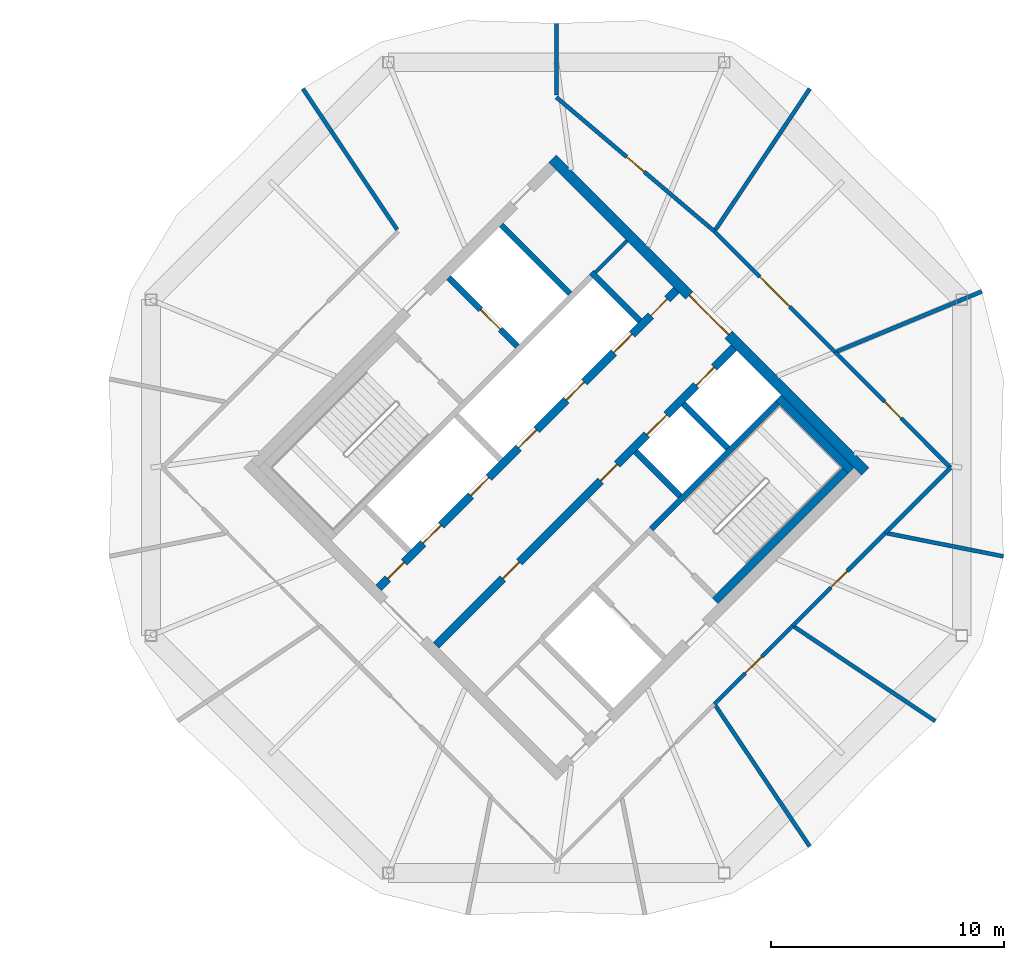
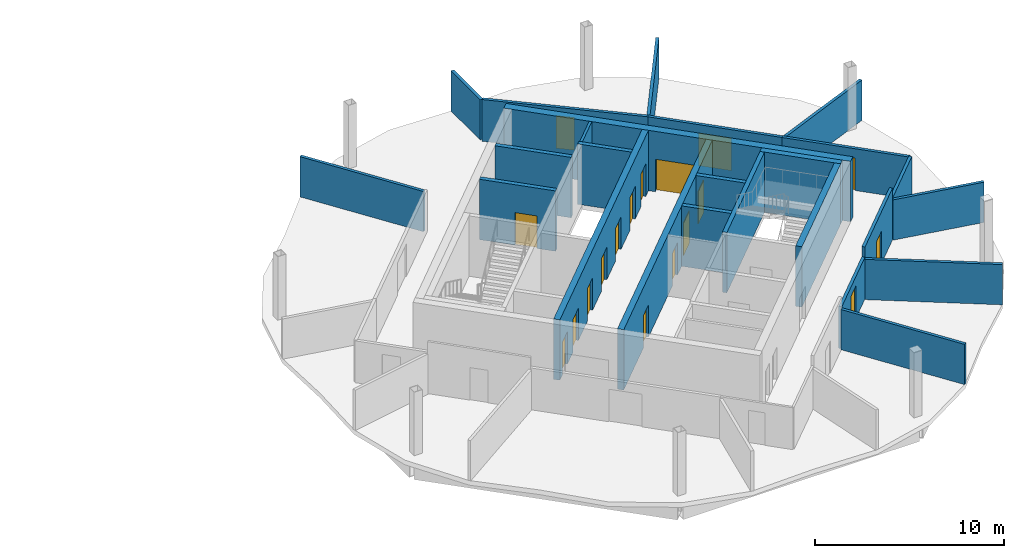
# One storey, part 8 of 10: 25 walls, 18 doors, 18 openings.
"""IFC4 building model written with IfcOpenShell, lengths in metres."""

from ifc_helpers import new_model, si_unit, direction, frame, frame_2d, origin, place, context, subcontext, project, spatial, rectangle, extrude, material, layer, layer_set, type_object, element, fill, save


model = new_model("IFC4")

# Units and contexts
model_context = context("Model", 3, precision=1e-05, world=origin(), true_north=direction((0.0, 1.0)))
body_context = subcontext(model_context, "Body", "Model", "MODEL_VIEW")
ifc_project = project(units=[si_unit("LENGTHUNIT", "METRE"), si_unit("AREAUNIT", "SQUARE_METRE"), si_unit("VOLUMEUNIT", "CUBIC_METRE"), si_unit("PLANEANGLEUNIT", "RADIAN"), si_unit("MASSUNIT", "GRAM", prefix="KILO")], contexts=[model_context])

# Site, building, storey
site_placement = place(None, origin())
site = spatial("IfcSite", under=ifc_project, at=site_placement, CompositionType="ELEMENT")
building_placement = place(site_placement, origin())
building = spatial("IfcBuilding", under=site, at=building_placement, Name="Ogive Gate Towers", CompositionType="ELEMENT")
storey_placement = place(building_placement, frame((0.0, 0.0, 264.60009765625)))
storey = spatial("IfcBuildingStorey", under=building, at=storey_placement, Name="L62", CompositionType="ELEMENT", Elevation=264.60009765625)

# Walls
ifc_material_1 = material(Name="Gypsum board acoustic partition")
ifc_layer_1 = layer(ifc_material_1, 0.175048828125)
ifc_layer_set_1 = layer_set([ifc_layer_1], Name="Acoustic partition 175")
wall_type_1 = type_object("IfcWallType", Name="Acoustic partition 175", PredefinedType="PARTITIONING", material=ifc_layer_set_1)
wall_1_placement = place(storey_placement, frame((54.29296875, 7.5771484375, 0.0), z_axis=(0.0, 0.0, 1.0), x_axis=(-0.923879560548, -0.382683364678, 0.0)))
element("IfcWall", 1, at=wall_1_placement, inside=storey, type_object=wall_type_1, Name="Partition T2-L62-001", PredefinedType="PARTITIONING", context=body_context, shape_type="SweptSolid", body=[
    extrude(rectangle(XDim=6.741455078125, YDim=0.175048828125, at=frame_2d((3.37060546875, 0.0))), origin(), (0.0, 0.0, 1.0), 2.599853515625),
])
wall_2_placement = place(storey_placement, frame((46.896484375, 16.291259765625, 0.0), z_axis=(0.0, 0.0, 1.0), x_axis=(-0.55596678997, -0.83120450459, 0.0)))
element("IfcWall", 2, at=wall_2_placement, inside=storey, type_object=wall_type_1, Name="Partition T2-L62-002", PredefinedType="PARTITIONING", context=body_context, shape_type="SweptSolid", body=[
    extrude(rectangle(XDim=7.291259765625, YDim=0.175048828125, at=frame_2d((3.6455078125, 0.0))), origin(), (0.0, 0.0, 1.0), 2.599853515625),
])
wall_3_placement = place(storey_placement, frame((36.0, 19.09912109375, 0.0), z_axis=(0.0, 0.0, 1.0), x_axis=(0.0, -1.0, 0.0)))
element("IfcWall", 3, at=wall_3_placement, inside=storey, type_object=wall_type_1, Name="Partition T2-L62-003", PredefinedType="PARTITIONING", context=body_context, shape_type="SweptSolid", body=[
    extrude(rectangle(XDim=3.091552734375, YDim=0.175048828125, at=frame_2d((1.5458984375, 0.0))), origin(), (0.0, 0.0, 1.0), 2.599853515625),
])
for number, where, z_axis, x_axis, name in (
    (4, (25.103515625, 16.291259765625, 0.0), (0.0, 0.0, 1.0), (0.55596678997, -0.83120450459, 0.0), "Partition T2-L62-004"),
    (5, (46.896484375, -16.291259765625, 0.0), (0.0, 0.0, 1.0), (-0.55596678997, 0.83120450459, 0.0), "Partition T2-L62-010"),
    (6, (52.291259765625, -10.896484375, 0.0), (0.0, 0.0, 1.0), (-0.83120450459, 0.55596678997, 0.0), "Partition T2-L62-011"),
):
    element("IfcWall", number, at=place(storey_placement, frame(where, z_axis=z_axis, x_axis=x_axis)), inside=storey, type_object=wall_type_1, Name=name, PredefinedType="PARTITIONING", context=body_context, shape_type="SweptSolid", body=[
        extrude(rectangle(XDim=7.291259765625, YDim=0.175048828125, at=frame_2d((3.6455078125, 0.0))), origin(), (0.0, 0.0, 1.0), 2.599853515625),
    ])
wall_4_placement = place(storey_placement, frame((55.224609375, -3.814697265625, 0.0), z_axis=(0.0, 0.0, 1.0), x_axis=(-0.980874659821, 0.194640442152, 0.0)))
element("IfcWall", 7, at=wall_4_placement, inside=storey, type_object=wall_type_1, Name="Partition T2-L62-012", PredefinedType="PARTITIONING", context=body_context, shape_type="SweptSolid", body=[
    extrude(rectangle(XDim=5.09130859375, YDim=0.175048828125, at=frame_2d((2.545654296875, 0.0))), origin(), (0.0, 0.0, 1.0), 2.599853515625),
])

# Wall, opening, door
wall_5_placement = place(storey_placement, frame((42.794189453125, -10.157958984375, 0.0), z_axis=(0.0, 0.0, 1.0), x_axis=(0.707106781187, 0.707106781187, 0.0)))
wall_5 = element("IfcWall", 8, at=wall_5_placement, inside=storey, type_object=wall_type_1, Name="Partition T2-L62-013", PredefinedType="PARTITIONING", context=body_context, shape_type="SweptSolid", body=[
    extrude(rectangle(XDim=4.757080078125, YDim=0.175048828125, at=frame_2d((2.37841796875, 0.0))), origin(), (0.0, 0.0, 1.0), 2.699951171875),
])
opening_1_placement = place(wall_5_placement, frame((1.87890625, 0.0, 0.0)))
opening_1 = element("IfcOpeningElement", 9, at=opening_1_placement, cuts=wall_5, Name="Opening T2-L62-D01", PredefinedType="OPENING", context=body_context, shape_type="SweptSolid", body=[
    extrude(rectangle(XDim=1.0, YDim=2.10009765625, at=frame_2d((0.5, 1.050048828125))), frame((0.0, 0.09765625, 0.0), z_axis=(0.0, -1.0, 0.0), x_axis=(1.0, 0.0, 0.0)), (0.0, 0.0, 1.0), 0.195068359375),
])
ifc_material_2 = material(Name="Timber door", Category="wood")
door_type_1 = type_object("IfcDoorType", Name="Door 1000", OperationType="NOTDEFINED", PredefinedType="DOOR", material=ifc_material_2)
door_1_placement = place(opening_1_placement, origin())
door_1 = element("IfcDoor", 10, at=door_1_placement, inside=storey, type_object=door_type_1, Name="Door T2-L62-D01", OperationType="SINGLE_SWING_RIGHT", OverallHeight=2.10009765625, OverallWidth=1.0, PredefinedType="DOOR", context=body_context, shape_type="SweptSolid", body=[
    extrude(rectangle(XDim=1.0, YDim=2.10009765625, at=frame_2d((0.5, 1.050048828125))), frame((0.0, 0.02490234375, 0.0), z_axis=(0.0, -1.0, 0.0), x_axis=(1.0, 0.0, 0.0)), (0.0, 0.0, 1.0), 0.050048828125),
])
fill(opening_1, door_1)

wall_6_placement = place(storey_placement, frame((46.157958984375, -6.794189453125, 0.0), z_axis=(0.0, 0.0, 1.0), x_axis=(0.707041832537, 0.707171723871, 0.0)))
wall_6 = element("IfcWall", 11, at=wall_6_placement, inside=storey, type_object=wall_type_1, Name="Partition T2-L62-014", PredefinedType="PARTITIONING", context=body_context, shape_type="SweptSolid", body=[
    extrude(rectangle(XDim=5.638671875, YDim=0.175048828125, at=frame_2d((2.8193359375, 0.0))), origin(), (0.0, 0.0, 1.0), 3.349853515625),
])
opening_2_placement = place(wall_6_placement, frame((2.319091796875, 0.0, 0.0)))
opening_2 = element("IfcOpeningElement", 12, at=opening_2_placement, cuts=wall_6, Name="Opening T2-L62-D02", PredefinedType="OPENING", context=body_context, shape_type="SweptSolid", body=[
    extrude(rectangle(XDim=1.0, YDim=2.10009765625, at=frame_2d((0.5, 1.050048828125))), frame((0.0, 0.09765625, 0.0), z_axis=(0.0, -1.0, 0.0), x_axis=(1.0, 0.0, 0.0)), (0.0, 0.0, 1.0), 0.195068359375),
])
door_2_placement = place(opening_2_placement, origin())
door_2 = element("IfcDoor", 13, at=door_2_placement, inside=storey, type_object=door_type_1, Name="Door T2-L62-D02", OperationType="SINGLE_SWING_RIGHT", OverallHeight=2.10009765625, OverallWidth=1.0, PredefinedType="DOOR", context=body_context, shape_type="SweptSolid", body=[
    extrude(rectangle(XDim=1.0, YDim=2.10009765625, at=frame_2d((0.5, 1.050048828125))), frame((0.0, 0.02490234375, 0.0), z_axis=(0.0, -1.0, 0.0), x_axis=(1.0, 0.0, 0.0)), (0.0, 0.0, 1.0), 0.050048828125),
])
fill(opening_2, door_2)

wall_7_placement = place(storey_placement, frame((52.9423828125, 0.0, 0.0), z_axis=(0.0, 0.0, 1.0), x_axis=(-0.706741328915, 0.70747204468, 0.0)))
wall_7 = element("IfcWall", 14, at=wall_7_placement, inside=storey, type_object=wall_type_1, Name="Partition T2-L62-015", PredefinedType="PARTITIONING", context=body_context, shape_type="SweptSolid", body=[
    extrude(rectangle(XDim=7.016357421875, YDim=0.175048828125, at=frame_2d((3.50830078125, 0.0))), origin(), (0.0, 0.0, 1.0), 2.699951171875),
])
opening_3_placement = place(wall_7_placement, frame((3.008056640625, 0.0, 0.0)))
opening_3 = element("IfcOpeningElement", 15, at=opening_3_placement, cuts=wall_7, Name="Opening T2-L62-D03", PredefinedType="OPENING", context=body_context, shape_type="SweptSolid", body=[
    extrude(rectangle(XDim=1.0, YDim=2.10009765625, at=frame_2d((0.5, 1.050048828125))), frame((0.0, 0.09765625, 0.0), z_axis=(0.0, -1.0, 0.0), x_axis=(1.0, 0.0, 0.0)), (0.0, 0.0, 1.0), 0.195068359375),
])
door_3_placement = place(opening_3_placement, origin())
door_3 = element("IfcDoor", 16, at=door_3_placement, inside=storey, type_object=door_type_1, Name="Door T2-L62-D03", OperationType="SINGLE_SWING_RIGHT", OverallHeight=2.10009765625, OverallWidth=1.0, PredefinedType="DOOR", context=body_context, shape_type="SweptSolid", body=[
    extrude(rectangle(XDim=1.0, YDim=2.10009765625, at=frame_2d((0.5, 1.050048828125))), frame((0.0, 0.02490234375, 0.0), z_axis=(0.0, -1.0, 0.0), x_axis=(1.0, 0.0, 0.0)), (0.0, 0.0, 1.0), 0.050048828125),
])
fill(opening_3, door_3)

# Wall
wall_8_placement = place(storey_placement, frame((50.144775390625, -2.806640625, 0.0), z_axis=(0.0, 0.0, 1.0), x_axis=(0.705966114567, 0.708245610705, 0.0)))
element("IfcWall", 17, at=wall_8_placement, inside=storey, type_object=wall_type_1, Name="Partition T2-L62-016", PredefinedType="PARTITIONING", context=body_context, shape_type="SweptSolid", body=[
    extrude(rectangle(XDim=3.962890625, YDim=0.175048828125, at=frame_2d((1.9814453125, 0.0))), origin(), (0.0, 0.0, 1.0), 2.699951171875),
])

# Wall, opening, door
wall_9_placement = place(storey_placement, frame((47.983642578125, 4.9638671875, 0.0), z_axis=(0.0, 0.0, 1.0), x_axis=(-0.706790822746, 0.70742259851, 0.0)))
wall_9 = element("IfcWall", 18, at=wall_9_placement, inside=storey, type_object=wall_type_1, Name="Partition T2-L62-017", PredefinedType="PARTITIONING", context=body_context, shape_type="SweptSolid", body=[
    extrude(rectangle(XDim=7.34228515625, YDim=0.175048828125, at=frame_2d((3.671142578125, 0.0))), origin(), (0.0, 0.0, 1.0), 2.699951171875),
])
opening_4_placement = place(wall_9_placement, frame((2.77099609375, 0.0, 0.0)))
opening_4 = element("IfcOpeningElement", 19, at=opening_4_placement, cuts=wall_9, Name="Opening T2-L62-D04", PredefinedType="OPENING", context=body_context, shape_type="SweptSolid", body=[
    extrude(rectangle(XDim=1.800048828125, YDim=2.10009765625, at=frame_2d((0.89990234375, 1.050048828125))), frame((0.0, 0.09765625, 0.0), z_axis=(0.0, -1.0, 0.0), x_axis=(1.0, 0.0, 0.0)), (0.0, 0.0, 1.0), 0.195068359375),
])
door_type_2 = type_object("IfcDoorType", Name="Door pair 1800", OperationType="NOTDEFINED", PredefinedType="DOOR", material=ifc_material_2)
door_4_placement = place(opening_4_placement, origin())
door_4 = element("IfcDoor", 20, at=door_4_placement, inside=storey, type_object=door_type_2, Name="Door T2-L62-D04", OperationType="DOUBLE_DOOR_DOUBLE_SWING", OverallHeight=2.10009765625, OverallWidth=1.800048828125, PredefinedType="DOOR", context=body_context, shape_type="SweptSolid", body=[
    extrude(rectangle(XDim=1.800048828125, YDim=2.10009765625, at=frame_2d((0.89990234375, 1.050048828125))), frame((0.0, 0.02490234375, 0.0), z_axis=(0.0, -1.0, 0.0), x_axis=(1.0, 0.0, 0.0)), (0.0, 0.0, 1.0), 0.050048828125),
])
fill(opening_4, door_4)

wall_10_placement = place(storey_placement, frame((42.794189453125, 10.157958984375, 0.0), z_axis=(0.0, 0.0, 1.0), x_axis=(-0.762650867546, 0.646810369608, 0.0)))
wall_10 = element("IfcWall", 21, at=wall_10_placement, inside=storey, type_object=wall_type_1, Name="Partition T2-L62-018", PredefinedType="PARTITIONING", context=body_context, shape_type="SweptSolid", body=[
    extrude(rectangle(XDim=8.90869140625, YDim=0.175048828125, at=frame_2d((4.454345703125, 0.0))), origin(), (0.0, 0.0, 1.0), 2.699951171875),
])
opening_5_placement = place(wall_10_placement, frame((3.9541015625, 0.0, 0.0)))
opening_5 = element("IfcOpeningElement", 22, at=opening_5_placement, cuts=wall_10, Name="Opening T2-L62-D05", PredefinedType="OPENING", context=body_context, shape_type="SweptSolid", body=[
    extrude(rectangle(XDim=1.0, YDim=2.10009765625, at=frame_2d((0.5, 1.050048828125))), frame((0.0, 0.09765625, 0.0), z_axis=(0.0, -1.0, 0.0), x_axis=(1.0, 0.0, 0.0)), (0.0, 0.0, 1.0), 0.195068359375),
])
door_5_placement = place(opening_5_placement, origin())
door_5 = element("IfcDoor", 23, at=door_5_placement, inside=storey, type_object=door_type_1, Name="Door T2-L62-D05", OperationType="SINGLE_SWING_LEFT", OverallHeight=2.10009765625, OverallWidth=1.0, PredefinedType="DOOR", context=body_context, shape_type="SweptSolid", body=[
    extrude(rectangle(XDim=1.0, YDim=2.10009765625, at=frame_2d((0.5, 1.050048828125))), frame((0.0, 0.02490234375, 0.0), z_axis=(0.0, -1.0, 0.0), x_axis=(1.0, 0.0, 0.0)), (0.0, 0.0, 1.0), 0.050048828125),
])
fill(opening_5, door_5)

ifc_material_3 = material(Name="Concrete C60/75", Category="concrete")
ifc_layer_2 = layer(ifc_material_3, 0.449951171875)
ifc_layer_set_2 = layer_set([ifc_layer_2], Name="Core wall 450 mm")
wall_type_2 = type_object("IfcWallType", Name="Core wall 450 mm", PredefinedType="SHEAR", material=ifc_layer_set_2)
wall_11_placement = place(storey_placement, frame((49.27587890625, -0.1591796875, 0.0), z_axis=(0.0, 0.0, 1.0), x_axis=(-0.707106781187, 0.707106781187, 0.0)))
wall_11 = element("IfcWall", 24, at=wall_11_placement, inside=storey, type_object=wall_type_2, Name="T2 L62 Core wall 450 mm", PredefinedType="SHEAR", context=body_context, shape_type="SweptSolid", body=[
    extrude(rectangle(XDim=19.0, YDim=0.449951171875, at=frame_2d((9.5, 0.0))), origin(), (0.0, 0.0, 1.0), 3.89990234375),
])
opening_6_placement = place(wall_11_placement, frame((8.300048828125, 0.0, 0.0)))
opening_6 = element("IfcOpeningElement", 25, at=opening_6_placement, cuts=wall_11, Name="Opening KD-T2-L62-02", PredefinedType="OPENING", context=body_context, shape_type="SweptSolid", body=[
    extrude(rectangle(XDim=2.39990234375, YDim=2.10009765625, at=frame_2d((1.199951171875, 1.050048828125))), frame((0.0, 0.23486328125, 0.0), z_axis=(0.0, -1.0, 0.0), x_axis=(1.0, 0.0, 0.0)), (0.0, 0.0, 1.0), 0.469970703125),
])
ifc_material_4 = material(Name="Steel fire door", Category="steel")
door_type_3 = type_object("IfcDoorType", Name="Core double door FD60S 2400 x 2100", OperationType="DOUBLE_DOOR_SINGLE_SWING", PredefinedType="DOOR", material=ifc_material_4)
door_6_placement = place(opening_6_placement, origin())
door_6 = element("IfcDoor", 26, at=door_6_placement, inside=storey, type_object=door_type_3, Name="T2 L62 Core door double", OperationType="DOUBLE_DOOR_SINGLE_SWING", OverallHeight=2.10009765625, OverallWidth=2.39990234375, PredefinedType="DOOR", context=body_context, shape_type="SweptSolid", body=[
    extrude(rectangle(XDim=2.39990234375, YDim=2.10009765625, at=frame_2d((1.199951171875, 1.050048828125))), frame((0.0, 0.02490234375, 0.0), z_axis=(0.0, -1.0, 0.0), x_axis=(1.0, 0.0, 0.0)), (0.0, 0.0, 1.0), 0.050048828125),
])
fill(opening_6, door_6)

# Walls
ifc_material_5 = material(Name="Gypsum board partition")
ifc_layer_3 = layer(ifc_material_5, 0.14990234375)
ifc_layer_set_3 = layer_set([ifc_layer_3], Name="Room partition 150 mm")
wall_type_3 = type_object("IfcWallType", Name="Room partition 150 mm", PredefinedType="PARTITIONING", material=ifc_layer_set_3)
wall_12_placement = place(storey_placement, frame((37.679443359375, 8.39697265625, 0.0), z_axis=(0.0, 0.0, 1.0), x_axis=(0.707106781187, 0.707106781187, 0.0)))
element("IfcWall", 27, at=wall_12_placement, inside=storey, type_object=wall_type_3, Name="T2 L62 Room partition 150 mm", PredefinedType="PARTITIONING", context=body_context, shape_type="SweptSolid", body=[
    extrude(rectangle(XDim=1.9248046875, YDim=0.14990234375, at=frame_2d((0.96240234375, 0.0))), origin(), (0.0, 0.0, 1.0), 3.89990234375),
])
ifc_layer_4 = layer(ifc_material_3, 0.25)
ifc_layer_set_4 = layer_set([ifc_layer_4], Name="Shaft wall 250 mm")
wall_type_4 = type_object("IfcWallType", Name="Shaft wall 250 mm", PredefinedType="SHEAR", material=ifc_layer_set_4)
wall_13_placement = place(storey_placement, frame((40.08349609375, -2.634033203125, 0.0), z_axis=(0.0, 0.0, 1.0), x_axis=(0.707090876314, 0.707122685701, 0.0)))
element("IfcWall", 28, at=wall_13_placement, inside=storey, type_object=wall_type_4, Name="T2 L62 Shaft wall 250 mm", PredefinedType="SHEAR", context=body_context, shape_type="SweptSolid", body=[
    extrude(rectangle(XDim=7.675048828125, YDim=0.25, at=frame_2d((3.83740234375, 0.0))), origin(), (0.0, 0.0, 1.0), 3.89990234375),
])

# Wall, opening, door
wall_14_placement = place(storey_placement, frame((34.320556640625, 5.21484375, 0.0), z_axis=(0.0, 0.0, 1.0), x_axis=(-0.707106781187, 0.707106781187, 0.0)))
wall_14 = element("IfcWall", 29, at=wall_14_placement, inside=storey, type_object=wall_type_4, Name="T2 L62 Shaft wall 250 mm", PredefinedType="SHEAR", context=body_context, shape_type="SweptSolid", body=[
    extrude(rectangle(XDim=4.175048828125, YDim=0.25, at=frame_2d((2.08740234375, 0.0))), origin(), (0.0, 0.0, 1.0), 3.89990234375),
])
opening_7_placement = place(wall_14_placement, frame((1.02490234375, 0.0, 0.0)))
opening_7 = element("IfcOpeningElement", 30, at=opening_7_placement, cuts=wall_14, Name="Opening LD-T2-L62-12", PredefinedType="OPENING", context=body_context, shape_type="SweptSolid", body=[
    extrude(rectangle(XDim=1.199951171875, YDim=2.10009765625, at=frame_2d((0.60009765625, 1.050048828125))), frame((0.0, 0.135009765625, 0.0), z_axis=(0.0, -1.0, 0.0), x_axis=(1.0, 0.0, 0.0)), (0.0, 0.0, 1.0), 0.27001953125),
])
ifc_material_6 = material(Name="Stainless steel landing door", Category="steel")
door_type_4 = type_object("IfcDoorType", Name="Landing door 1200 x 2100", OperationType="SLIDING_TO_LEFT", PredefinedType="DOOR", material=ifc_material_6)
door_7_placement = place(opening_7_placement, origin())
door_7 = element("IfcDoor", 31, at=door_7_placement, inside=storey, type_object=door_type_4, Name="T2 L62 Lift landing door FF1", OperationType="SLIDING_TO_LEFT", OverallHeight=2.10009765625, OverallWidth=1.199951171875, PredefinedType="DOOR", context=body_context, shape_type="SweptSolid", body=[
    extrude(rectangle(XDim=1.199951171875, YDim=2.10009765625, at=frame_2d((0.60009765625, 1.050048828125))), frame((0.0, 0.02490234375, 0.0), z_axis=(0.0, -1.0, 0.0), x_axis=(1.0, 0.0, 0.0)), (0.0, 0.0, 1.0), 0.050048828125),
])
fill(opening_7, door_7)

# Walls
wall_15_placement = place(storey_placement, frame((41.321044921875, -1.2197265625, 0.0), z_axis=(0.0, 0.0, 1.0), x_axis=(-0.707106781187, 0.707106781187, 0.0)))
element("IfcWall", 32, at=wall_15_placement, inside=storey, type_object=wall_type_4, Name="T2 L62 Shaft wall 250 mm", PredefinedType="SHEAR", context=body_context, shape_type="SweptSolid", body=[
    extrude(rectangle(XDim=2.699951171875, YDim=0.25, at=frame_2d((1.35009765625, 0.0))), origin(), (0.0, 0.0, 1.0), 3.89990234375),
])
wall_16_placement = place(storey_placement, frame((36.58349609375, 7.477783203125, 0.0), z_axis=(0.0, 0.0, 1.0), x_axis=(-0.707165256008, 0.707048301529, 0.0)))
element("IfcWall", 33, at=wall_16_placement, inside=storey, type_object=wall_type_4, Name="T2 L62 Shaft wall 250 mm", PredefinedType="SHEAR", context=body_context, shape_type="SweptSolid", body=[
    extrude(rectangle(XDim=4.175048828125, YDim=0.25, at=frame_2d((2.08740234375, 0.0))), origin(), (0.0, 0.0, 1.0), 3.89990234375),
])
wall_17_placement = place(storey_placement, frame((43.37158203125, 0.830810546875, 0.0), z_axis=(0.0, 0.0, 1.0), x_axis=(-0.707106781187, 0.707106781187, 0.0)))
element("IfcWall", 34, at=wall_17_placement, inside=storey, type_object=wall_type_4, Name="T2 L62 Shaft wall 250 mm", PredefinedType="SHEAR", context=body_context, shape_type="SweptSolid", body=[
    extrude(rectangle(XDim=2.699951171875, YDim=0.25, at=frame_2d((1.35009765625, 0.0))), origin(), (0.0, 0.0, 1.0), 3.89990234375),
])
wall_18_placement = place(storey_placement, frame((39.588623046875, 6.310791015625, 0.0), z_axis=(0.0, 0.0, 1.0), x_axis=(-0.707065402085, 0.707148157867, 0.0)))
element("IfcWall", 35, at=wall_18_placement, inside=storey, type_object=wall_type_4, Name="T2 L62 Shaft wall 250 mm", PredefinedType="SHEAR", context=body_context, shape_type="SweptSolid", body=[
    extrude(rectangle(XDim=2.9501953125, YDim=0.25, at=frame_2d((1.47509765625, 0.0))), origin(), (0.0, 0.0, 1.0), 3.89990234375),
])

# Wall, openings, doors
ifc_layer_5 = layer(ifc_material_3, 0.35009765625)
ifc_layer_set_5 = layer_set([ifc_layer_5], Name="Spine wall 350 mm")
wall_type_5 = type_object("IfcWallType", Name="Spine wall 350 mm", PredefinedType="SHEAR", material=ifc_layer_set_5)
wall_19_placement = place(storey_placement, frame((30.838134765625, -7.63671875, 0.0), z_axis=(0.0, 0.0, 1.0), x_axis=(0.707106781187, 0.707106781187, 0.0)))
wall_19 = element("IfcWall", 36, at=wall_19_placement, inside=storey, type_object=wall_type_5, Name="T2 L62 Spine wall 350 mm", PredefinedType="SHEAR", context=body_context, shape_type="SweptSolid", body=[
    extrude(rectangle(XDim=18.099853515625, YDim=0.35009765625, at=frame_2d((9.0498046875, 0.0))), origin(), (0.0, 0.0, 1.0), 3.89990234375),
])
opening_8_placement = place(wall_19_placement, frame((12.800048828125, 0.0, 0.0)))
opening_8 = element("IfcOpeningElement", 37, at=opening_8_placement, cuts=wall_19, Name="Opening LD-T2-L62-10", PredefinedType="OPENING", context=body_context, shape_type="SweptSolid", body=[
    extrude(rectangle(XDim=1.199951171875, YDim=2.10009765625, at=frame_2d((0.60009765625, 1.050048828125))), frame((0.0, 0.18505859375, 0.0), z_axis=(0.0, -1.0, 0.0), x_axis=(1.0, 0.0, 0.0)), (0.0, 0.0, 1.0), 0.3701171875),
])
opening_9_placement = place(wall_19_placement, frame((15.800048828125, 0.0, 0.0)))
opening_9 = element("IfcOpeningElement", 38, at=opening_9_placement, cuts=wall_19, Name="Opening LD-T2-L62-11", PredefinedType="OPENING", context=body_context, shape_type="SweptSolid", body=[
    extrude(rectangle(XDim=1.10009765625, YDim=2.10009765625, at=frame_2d((0.550048828125, 1.050048828125))), frame((0.0, 0.18505859375, 0.0), z_axis=(0.0, -1.0, 0.0), x_axis=(1.0, 0.0, 0.0)), (0.0, 0.0, 1.0), 0.3701171875),
])
opening_10_placement = place(wall_19_placement, frame((4.050048828125, 0.0, 0.0)))
opening_10 = element("IfcOpeningElement", 39, at=opening_10_placement, cuts=wall_19, Name="Opening KD-T2-L62-14", PredefinedType="OPENING", context=body_context, shape_type="SweptSolid", body=[
    extrude(rectangle(XDim=1.0, YDim=2.10009765625, at=frame_2d((0.5, 1.050048828125))), frame((0.0, 0.18505859375, 0.0), z_axis=(0.0, -1.0, 0.0), x_axis=(1.0, 0.0, 0.0)), (0.0, 0.0, 1.0), 0.3701171875),
])
opening_11_placement = place(wall_19_placement, frame((10.0, 0.0, 0.0)))
opening_11 = element("IfcOpeningElement", 40, at=opening_11_placement, cuts=wall_19, Name="Opening KD-T2-L62-15", PredefinedType="OPENING", context=body_context, shape_type="SweptSolid", body=[
    extrude(rectangle(XDim=1.0, YDim=2.10009765625, at=frame_2d((0.5, 1.050048828125))), frame((0.0, 0.18505859375, 0.0), z_axis=(0.0, -1.0, 0.0), x_axis=(1.0, 0.0, 0.0)), (0.0, 0.0, 1.0), 0.3701171875),
])
door_type_5 = type_object("IfcDoorType", Name="Core door FD60S 1000 x 2100", OperationType="NOTDEFINED", PredefinedType="DOOR", material=ifc_material_4)
door_8_placement = place(opening_10_placement, origin())
door_8 = element("IfcDoor", 41, at=door_8_placement, inside=storey, type_object=door_type_5, Name="T2 L62 Core door", OperationType="SINGLE_SWING_LEFT", OverallHeight=2.10009765625, OverallWidth=1.0, PredefinedType="DOOR", context=body_context, shape_type="SweptSolid", body=[
    extrude(rectangle(XDim=1.0, YDim=2.10009765625, at=frame_2d((0.5, 1.050048828125))), frame((0.0, 0.02490234375, 0.0), z_axis=(0.0, -1.0, 0.0), x_axis=(1.0, 0.0, 0.0)), (0.0, 0.0, 1.0), 0.050048828125),
])
fill(opening_10, door_8)
door_9_placement = place(opening_11_placement, origin())
door_9 = element("IfcDoor", 42, at=door_9_placement, inside=storey, type_object=door_type_5, Name="T2 L62 Core door", OperationType="SINGLE_SWING_RIGHT", OverallHeight=2.10009765625, OverallWidth=1.0, PredefinedType="DOOR", context=body_context, shape_type="SweptSolid", body=[
    extrude(rectangle(XDim=1.0, YDim=2.10009765625, at=frame_2d((0.5, 1.050048828125))), frame((0.0, 0.02490234375, 0.0), z_axis=(0.0, -1.0, 0.0), x_axis=(1.0, 0.0, 0.0)), (0.0, 0.0, 1.0), 0.050048828125),
])
fill(opening_11, door_9)
door_type_6 = type_object("IfcDoorType", Name="Landing door 1100 x 2100", OperationType="SLIDING_TO_LEFT", PredefinedType="DOOR", material=ifc_material_6)
door_10_placement = place(opening_9_placement, origin())
door_10 = element("IfcDoor", 43, at=door_10_placement, inside=storey, type_object=door_type_6, Name="T2 L62 Lift landing door B6", OperationType="SLIDING_TO_LEFT", OverallHeight=2.10009765625, OverallWidth=1.10009765625, PredefinedType="DOOR", context=body_context, shape_type="SweptSolid", body=[
    extrude(rectangle(XDim=1.10009765625, YDim=2.10009765625, at=frame_2d((0.550048828125, 1.050048828125))), frame((0.0, 0.02490234375, 0.0), z_axis=(0.0, -1.0, 0.0), x_axis=(1.0, 0.0, 0.0)), (0.0, 0.0, 1.0), 0.050048828125),
])
fill(opening_9, door_10)
door_11_placement = place(opening_8_placement, origin())
door_11 = element("IfcDoor", 44, at=door_11_placement, inside=storey, type_object=door_type_4, Name="T2 L62 Lift landing door SVC", OperationType="SLIDING_TO_LEFT", OverallHeight=2.10009765625, OverallWidth=1.199951171875, PredefinedType="DOOR", context=body_context, shape_type="SweptSolid", body=[
    extrude(rectangle(XDim=1.199951171875, YDim=2.10009765625, at=frame_2d((0.60009765625, 1.050048828125))), frame((0.0, 0.02490234375, 0.0), z_axis=(0.0, -1.0, 0.0), x_axis=(1.0, 0.0, 0.0)), (0.0, 0.0, 1.0), 0.050048828125),
])
fill(opening_8, door_11)

wall_20_placement = place(storey_placement, frame((28.36328125, -5.161865234375, 0.0), z_axis=(0.0, 0.0, 1.0), x_axis=(0.707106781187, 0.707106781187, 0.0)))
wall_20 = element("IfcWall", 45, at=wall_20_placement, inside=storey, type_object=wall_type_5, Name="T2 L62 Spine wall 350 mm", PredefinedType="SHEAR", context=body_context, shape_type="SweptSolid", body=[
    extrude(rectangle(XDim=18.099853515625, YDim=0.35009765625, at=frame_2d((9.0498046875, 0.0))), origin(), (0.0, 0.0, 1.0), 3.89990234375),
])
opening_12_placement = place(wall_20_placement, frame((0.550048828125, 0.0, 0.0)))
opening_12 = element("IfcOpeningElement", 46, at=opening_12_placement, cuts=wall_20, Name="Opening KD-T2-L62-03", PredefinedType="OPENING", context=body_context, shape_type="SweptSolid", body=[
    extrude(rectangle(XDim=1.0, YDim=2.10009765625, at=frame_2d((0.5, 1.050048828125))), frame((0.0, 0.18505859375, 0.0), z_axis=(0.0, -1.0, 0.0), x_axis=(1.0, 0.0, 0.0)), (0.0, 0.0, 1.0), 0.3701171875),
])
opening_13_placement = place(wall_20_placement, frame((2.699951171875, 0.0, 0.0)))
opening_13 = element("IfcOpeningElement", 47, at=opening_13_placement, cuts=wall_20, Name="Opening LD-T2-L62-04", PredefinedType="OPENING", context=body_context, shape_type="SweptSolid", body=[
    extrude(rectangle(XDim=1.10009765625, YDim=2.10009765625, at=frame_2d((0.550048828125, 1.050048828125))), frame((0.0, 0.18505859375, 0.0), z_axis=(0.0, -1.0, 0.0), x_axis=(1.0, 0.0, 0.0)), (0.0, 0.0, 1.0), 0.3701171875),
])
opening_14_placement = place(wall_20_placement, frame((5.60009765625, 0.0, 0.0)))
opening_14 = element("IfcOpeningElement", 48, at=opening_14_placement, cuts=wall_20, Name="Opening LD-T2-L62-05", PredefinedType="OPENING", context=body_context, shape_type="SweptSolid", body=[
    extrude(rectangle(XDim=1.10009765625, YDim=2.10009765625, at=frame_2d((0.550048828125, 1.050048828125))), frame((0.0, 0.18505859375, 0.0), z_axis=(0.0, -1.0, 0.0), x_axis=(1.0, 0.0, 0.0)), (0.0, 0.0, 1.0), 0.3701171875),
])
opening_15_placement = place(wall_20_placement, frame((8.5, 0.0, 0.0)))
opening_15 = element("IfcOpeningElement", 49, at=opening_15_placement, cuts=wall_20, Name="Opening LD-T2-L62-06", PredefinedType="OPENING", context=body_context, shape_type="SweptSolid", body=[
    extrude(rectangle(XDim=1.10009765625, YDim=2.10009765625, at=frame_2d((0.550048828125, 1.050048828125))), frame((0.0, 0.18505859375, 0.0), z_axis=(0.0, -1.0, 0.0), x_axis=(1.0, 0.0, 0.0)), (0.0, 0.0, 1.0), 0.3701171875),
])
opening_16_placement = place(wall_20_placement, frame((11.39990234375, 0.0, 0.0)))
opening_16 = element("IfcOpeningElement", 50, at=opening_16_placement, cuts=wall_20, Name="Opening LD-T2-L62-07", PredefinedType="OPENING", context=body_context, shape_type="SweptSolid", body=[
    extrude(rectangle(XDim=1.10009765625, YDim=2.10009765625, at=frame_2d((0.550048828125, 1.050048828125))), frame((0.0, 0.18505859375, 0.0), z_axis=(0.0, -1.0, 0.0), x_axis=(1.0, 0.0, 0.0)), (0.0, 0.0, 1.0), 0.3701171875),
])
opening_17_placement = place(wall_20_placement, frame((14.300048828125, 0.0, 0.0)))
opening_17 = element("IfcOpeningElement", 51, at=opening_17_placement, cuts=wall_20, Name="Opening LD-T2-L62-08", PredefinedType="OPENING", context=body_context, shape_type="SweptSolid", body=[
    extrude(rectangle(XDim=1.10009765625, YDim=2.10009765625, at=frame_2d((0.550048828125, 1.050048828125))), frame((0.0, 0.18505859375, 0.0), z_axis=(0.0, -1.0, 0.0), x_axis=(1.0, 0.0, 0.0)), (0.0, 0.0, 1.0), 0.3701171875),
])
opening_18_placement = place(wall_20_placement, frame((16.550048828125, 0.0, 0.0)))
opening_18 = element("IfcOpeningElement", 52, at=opening_18_placement, cuts=wall_20, Name="Opening KD-T2-L62-09", PredefinedType="OPENING", context=body_context, shape_type="SweptSolid", body=[
    extrude(rectangle(XDim=1.0, YDim=2.10009765625, at=frame_2d((0.5, 1.050048828125))), frame((0.0, 0.18505859375, 0.0), z_axis=(0.0, -1.0, 0.0), x_axis=(1.0, 0.0, 0.0)), (0.0, 0.0, 1.0), 0.3701171875),
])
door_12_placement = place(opening_12_placement, origin())
door_12 = element("IfcDoor", 53, at=door_12_placement, inside=storey, type_object=door_type_5, Name="T2 L62 Core door", OperationType="SINGLE_SWING_RIGHT", OverallHeight=2.10009765625, OverallWidth=1.0, PredefinedType="DOOR", context=body_context, shape_type="SweptSolid", body=[
    extrude(rectangle(XDim=1.0, YDim=2.10009765625, at=frame_2d((0.5, 1.050048828125))), frame((0.0, 0.02490234375, 0.0), z_axis=(0.0, -1.0, 0.0), x_axis=(1.0, 0.0, 0.0)), (0.0, 0.0, 1.0), 0.050048828125),
])
fill(opening_12, door_12)
door_13_placement = place(opening_18_placement, origin())
door_13 = element("IfcDoor", 54, at=door_13_placement, inside=storey, type_object=door_type_5, Name="T2 L62 Core door", OperationType="SINGLE_SWING_RIGHT", OverallHeight=2.10009765625, OverallWidth=1.0, PredefinedType="DOOR", context=body_context, shape_type="SweptSolid", body=[
    extrude(rectangle(XDim=1.0, YDim=2.10009765625, at=frame_2d((0.5, 1.050048828125))), frame((0.0, 0.02490234375, 0.0), z_axis=(0.0, -1.0, 0.0), x_axis=(1.0, 0.0, 0.0)), (0.0, 0.0, 1.0), 0.050048828125),
])
fill(opening_18, door_13)
door_14_placement = place(opening_13_placement, origin())
door_14 = element("IfcDoor", 55, at=door_14_placement, inside=storey, type_object=door_type_6, Name="T2 L62 Lift landing door B1", OperationType="SLIDING_TO_LEFT", OverallHeight=2.10009765625, OverallWidth=1.10009765625, PredefinedType="DOOR", context=body_context, shape_type="SweptSolid", body=[
    extrude(rectangle(XDim=1.10009765625, YDim=2.10009765625, at=frame_2d((0.550048828125, 1.050048828125))), frame((0.0, 0.02490234375, 0.0), z_axis=(0.0, -1.0, 0.0), x_axis=(1.0, 0.0, 0.0)), (0.0, 0.0, 1.0), 0.050048828125),
])
fill(opening_13, door_14)
door_15_placement = place(opening_14_placement, origin())
door_15 = element("IfcDoor", 56, at=door_15_placement, inside=storey, type_object=door_type_6, Name="T2 L62 Lift landing door B2", OperationType="SLIDING_TO_LEFT", OverallHeight=2.10009765625, OverallWidth=1.10009765625, PredefinedType="DOOR", context=body_context, shape_type="SweptSolid", body=[
    extrude(rectangle(XDim=1.10009765625, YDim=2.10009765625, at=frame_2d((0.550048828125, 1.050048828125))), frame((0.0, 0.02490234375, 0.0), z_axis=(0.0, -1.0, 0.0), x_axis=(1.0, 0.0, 0.0)), (0.0, 0.0, 1.0), 0.050048828125),
])
fill(opening_14, door_15)
door_16_placement = place(opening_15_placement, origin())
door_16 = element("IfcDoor", 57, at=door_16_placement, inside=storey, type_object=door_type_6, Name="T2 L62 Lift landing door B3", OperationType="SLIDING_TO_LEFT", OverallHeight=2.10009765625, OverallWidth=1.10009765625, PredefinedType="DOOR", context=body_context, shape_type="SweptSolid", body=[
    extrude(rectangle(XDim=1.10009765625, YDim=2.10009765625, at=frame_2d((0.550048828125, 1.050048828125))), frame((0.0, 0.02490234375, 0.0), z_axis=(0.0, -1.0, 0.0), x_axis=(1.0, 0.0, 0.0)), (0.0, 0.0, 1.0), 0.050048828125),
])
fill(opening_15, door_16)
door_17_placement = place(opening_16_placement, origin())
door_17 = element("IfcDoor", 58, at=door_17_placement, inside=storey, type_object=door_type_6, Name="T2 L62 Lift landing door B4", OperationType="SLIDING_TO_LEFT", OverallHeight=2.10009765625, OverallWidth=1.10009765625, PredefinedType="DOOR", context=body_context, shape_type="SweptSolid", body=[
    extrude(rectangle(XDim=1.10009765625, YDim=2.10009765625, at=frame_2d((0.550048828125, 1.050048828125))), frame((0.0, 0.02490234375, 0.0), z_axis=(0.0, -1.0, 0.0), x_axis=(1.0, 0.0, 0.0)), (0.0, 0.0, 1.0), 0.050048828125),
])
fill(opening_16, door_17)
door_18_placement = place(opening_17_placement, origin())
door_18 = element("IfcDoor", 59, at=door_18_placement, inside=storey, type_object=door_type_6, Name="T2 L62 Lift landing door B5", OperationType="SLIDING_TO_LEFT", OverallHeight=2.10009765625, OverallWidth=1.10009765625, PredefinedType="DOOR", context=body_context, shape_type="SweptSolid", body=[
    extrude(rectangle(XDim=1.10009765625, YDim=2.10009765625, at=frame_2d((0.550048828125, 1.050048828125))), frame((0.0, 0.02490234375, 0.0), z_axis=(0.0, -1.0, 0.0), x_axis=(1.0, 0.0, 0.0)), (0.0, 0.0, 1.0), 0.050048828125),
])
fill(opening_17, door_18)

# Walls
ifc_layer_6 = layer(ifc_material_3, 0.35009765625)
ifc_layer_set_6 = layer_set([ifc_layer_6], Name="Stair wall 350 mm")
wall_type_6 = type_object("IfcWallType", Name="Stair wall 350 mm", PredefinedType="SHEAR", material=ifc_layer_set_6)
wall_21_placement = place(storey_placement, frame((42.823486328125, -5.7275390625, 0.0), z_axis=(0.0, 0.0, 1.0), x_axis=(0.707122184046, 0.707091377991, 0.0)))
element("IfcWall", 60, at=wall_21_placement, inside=storey, type_object=wall_type_6, Name="T2 L62 Stair wall 350 mm", PredefinedType="SHEAR", context=body_context, shape_type="SweptSolid", body=[
    extrude(rectangle(XDim=7.925048828125, YDim=0.35009765625, at=frame_2d((3.96240234375, 0.0))), origin(), (0.0, 0.0, 1.0), 3.89990234375),
])
wall_22_placement = place(storey_placement, frame((48.6748046875, -0.123779296875, 0.0), z_axis=(0.0, 0.0, 1.0), x_axis=(-0.707106781187, 0.707106781187, 0.0)))
element("IfcWall", 61, at=wall_22_placement, inside=storey, type_object=wall_type_6, Name="T2 L62 Stair wall 350 mm", PredefinedType="SHEAR", context=body_context, shape_type="SweptSolid", body=[
    extrude(rectangle(XDim=4.425048828125, YDim=0.35009765625, at=frame_2d((2.21240234375, 0.0))), origin(), (0.0, 0.0, 1.0), 3.89990234375),
])

save(model, "model.ifc")
